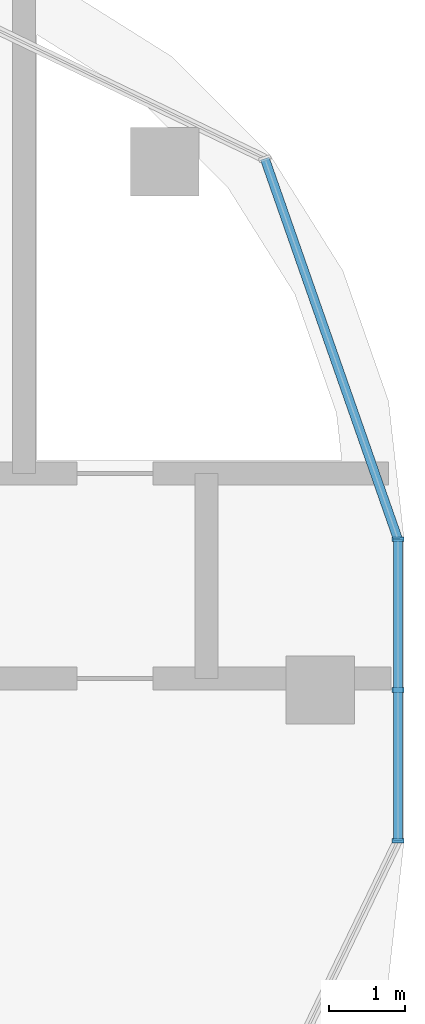
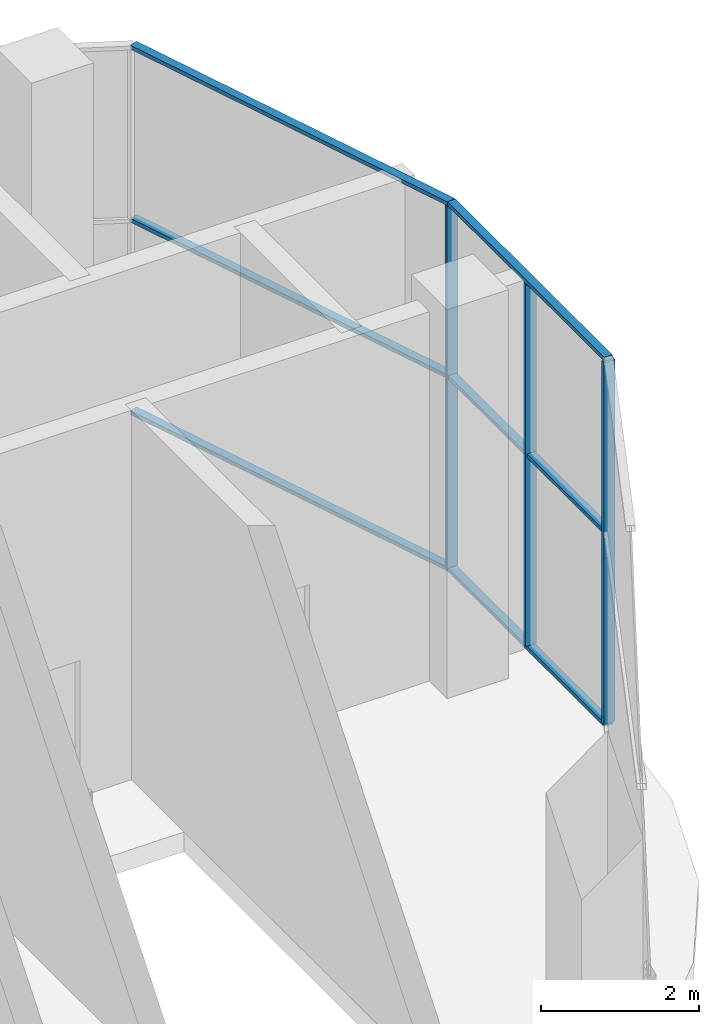
# One storey, part 10 of 21: 9 members, 2 elements without a shape of their own.
"""IFC4 building model written with IfcOpenShell, lengths in metres."""

from ifc_helpers import new_model, si_unit, direction, frame, origin, origin_2d, place, context, subcontext, project, spatial, rectangle, extrude, material, material_profile, profile_set, type_object, element, aggregate, save


model = new_model("IFC4")

# Units and contexts
model_context = context("Model", 3, precision=1e-05, world=origin(), true_north=direction((0.0, 1.0)))
body_context = subcontext(model_context, "Body", "Model", "MODEL_VIEW")
ifc_project = project(units=[si_unit("LENGTHUNIT", "METRE"), si_unit("AREAUNIT", "SQUARE_METRE"), si_unit("VOLUMEUNIT", "CUBIC_METRE"), si_unit("PLANEANGLEUNIT", "RADIAN"), si_unit("MASSUNIT", "GRAM", prefix="KILO")], contexts=[model_context])

# Site, building, storey
site_placement = place(None, origin())
site = spatial("IfcSite", under=ifc_project, at=site_placement, CompositionType="ELEMENT")
building_placement = place(site_placement, origin())
building = spatial("IfcBuilding", under=site, at=building_placement, Name="Ogive Portal Towers", CompositionType="ELEMENT")
storey_placement = place(building_placement, frame((0.0, 0.0, 266.89990234375)))
storey = spatial("IfcBuildingStorey", under=building, at=storey_placement, Name="L65", CompositionType="ELEMENT", Elevation=266.89990234375)

# Curtain wall, members
ifc_material_1 = material(Name="Glass, clear low-iron insulated glazing", Category="glass")
curtain_wall_type = type_object("IfcCurtainWallType", Name="CW OBSERVATION WALL", PredefinedType="NOTDEFINED", material=ifc_material_1)
curtain_wall_1_placement = place(storey_placement, origin())
curtain_wall_1 = element("IfcCurtainWall", 1, at=curtain_wall_1_placement, inside=storey, type_object=curtain_wall_type, Name="A:L65:f08:cw0", PredefinedType="NOTDEFINED")
ifc_material_2 = material(Name="Aluminium 6063 anodised", Category="aluminium")
ifc_material_profile_1 = material_profile(ifc_material_2, rectangle(XDim=0.159912109375, YDim=0.06005859375, at=origin_2d()), Name="AL 60x160")
ifc_profile_set_1 = profile_set([ifc_material_profile_1], Name="Aluminium 6063 anodised")
member_type_1 = type_object("IfcMemberType", Name="CW MULLION 60x160", PredefinedType="MULLION", material=ifc_profile_set_1)
member_1_placement = place(storey_placement, frame((95.52001953125, 28.518310546875, 0.06005859375), z_axis=(0.0, 0.0, 1.0), x_axis=(-1.0, 0.0, 0.0)))
member_1 = element("IfcMember", 2, at=member_1_placement, type_object=member_type_1, Name="mullion", PredefinedType="MULLION", context=body_context, shape_type="SweptSolid", body=[
    extrude(rectangle(XDim=0.159912109375, YDim=0.06005859375, at=origin_2d()), origin(), (0.0, 0.0, 1.0), 5.580078125),
])
member_2_placement = place(storey_placement, frame((95.52001953125, 30.5, 0.06005859375), z_axis=(0.0, 0.0, 1.0), x_axis=(-1.0, 0.0, 0.0)))
member_2 = element("IfcMember", 3, at=member_2_placement, type_object=member_type_1, Name="mullion", PredefinedType="MULLION", context=body_context, shape_type="SweptSolid", body=[
    extrude(rectangle(XDim=0.159912109375, YDim=0.06005859375, at=origin_2d()), origin(), (0.0, 0.0, 1.0), 5.580078125),
])
member_3_placement = place(storey_placement, frame((95.52001953125, 32.486328125, 0.06005859375), z_axis=(0.0, 0.0, 1.0), x_axis=(-1.0, 0.0, 0.0)))
member_3 = element("IfcMember", 4, at=member_3_placement, type_object=member_type_1, Name="mullion", PredefinedType="MULLION", context=body_context, shape_type="SweptSolid", body=[
    extrude(rectangle(XDim=0.159912109375, YDim=0.06005859375, at=origin_2d()), origin(), (0.0, 0.0, 1.0), 5.580078125),
])
ifc_material_profile_2 = material_profile(ifc_material_2, rectangle(XDim=0.1201171875, YDim=0.06005859375, at=origin_2d()), Name="AL 120x60")
ifc_profile_set_2 = profile_set([ifc_material_profile_2], Name="Aluminium 6063 anodised")
member_type_2 = type_object("IfcMemberType", Name="CW TRANSOM 60x120", PredefinedType="USERDEFINED", material=ifc_profile_set_2)
member_4_placement = place(storey_placement, frame((95.52001953125, 28.518310546875, 0.030029296875), z_axis=(0.0, 1.0, 0.0), x_axis=(-1.0, 0.0, 0.0)))
member_4 = element("IfcMember", 5, at=member_4_placement, type_object=member_type_2, Name="transom", ObjectType="TRANSOM", PredefinedType="USERDEFINED", context=body_context, shape_type="SweptSolid", body=[
    extrude(rectangle(XDim=0.1201171875, YDim=0.06005859375, at=origin_2d()), origin(), (0.0, 0.0, 1.0), 3.968017578125),
])
member_5_placement = place(storey_placement, frame((95.52001953125, 28.518310546875, 3.0), z_axis=(0.0, 1.0, 0.0), x_axis=(-1.0, 0.0, 0.0)))
member_5 = element("IfcMember", 6, at=member_5_placement, type_object=member_type_2, Name="transom", ObjectType="TRANSOM", PredefinedType="USERDEFINED", context=body_context, shape_type="SweptSolid", body=[
    extrude(rectangle(XDim=0.1201171875, YDim=0.06005859375, at=origin_2d()), origin(), (0.0, 0.0, 1.0), 3.968017578125),
])
member_6_placement = place(storey_placement, frame((95.52001953125, 28.518310546875, 5.670166015625), z_axis=(0.0, 1.0, 0.0), x_axis=(-1.0, 0.0, 0.0)))
member_6 = element("IfcMember", 7, at=member_6_placement, type_object=member_type_2, Name="transom", ObjectType="TRANSOM", PredefinedType="USERDEFINED", context=body_context, shape_type="SweptSolid", body=[
    extrude(rectangle(XDim=0.1201171875, YDim=0.06005859375, at=origin_2d()), origin(), (0.0, 0.0, 1.0), 3.968017578125),
])
aggregate(curtain_wall_1, [member_4, member_5, member_6, member_1, member_2, member_3])

curtain_wall_2_placement = place(storey_placement, origin())
curtain_wall_2 = element("IfcCurtainWall", 8, at=curtain_wall_2_placement, inside=storey, type_object=curtain_wall_type, Name="A:L65:f09:cwa", PredefinedType="NOTDEFINED")
member_7_placement = place(storey_placement, frame((95.52001953125, 32.486328125, 0.030029296875), z_axis=(-0.330264309567, 0.943888492263, 0.0), x_axis=(-0.943888492263, -0.330264309567, 0.0)))
member_7 = element("IfcMember", 9, at=member_7_placement, type_object=member_type_2, Name="transom", ObjectType="TRANSOM", PredefinedType="USERDEFINED", context=body_context, shape_type="SweptSolid", body=[
    extrude(rectangle(XDim=0.1201171875, YDim=0.06005859375, at=origin_2d()), origin(), (0.0, 0.0, 1.0), 5.303955078125),
])
member_8_placement = place(storey_placement, frame((95.52001953125, 32.486328125, 3.0), z_axis=(-0.330264309567, 0.943888492263, 0.0), x_axis=(-0.943888492263, -0.330264309567, 0.0)))
member_8 = element("IfcMember", 10, at=member_8_placement, type_object=member_type_2, Name="transom", ObjectType="TRANSOM", PredefinedType="USERDEFINED", context=body_context, shape_type="SweptSolid", body=[
    extrude(rectangle(XDim=0.1201171875, YDim=0.06005859375, at=origin_2d()), origin(), (0.0, 0.0, 1.0), 5.303955078125),
])
member_9_placement = place(storey_placement, frame((95.52001953125, 32.486328125, 5.670166015625), z_axis=(-0.330264309567, 0.943888492263, 0.0), x_axis=(-0.943888492263, -0.330264309567, 0.0)))
member_9 = element("IfcMember", 11, at=member_9_placement, type_object=member_type_2, Name="transom", ObjectType="TRANSOM", PredefinedType="USERDEFINED", context=body_context, shape_type="SweptSolid", body=[
    extrude(rectangle(XDim=0.1201171875, YDim=0.06005859375, at=origin_2d()), origin(), (0.0, 0.0, 1.0), 5.303955078125),
])
aggregate(curtain_wall_2, [member_7, member_8, member_9])

save(model, "model.ifc")
